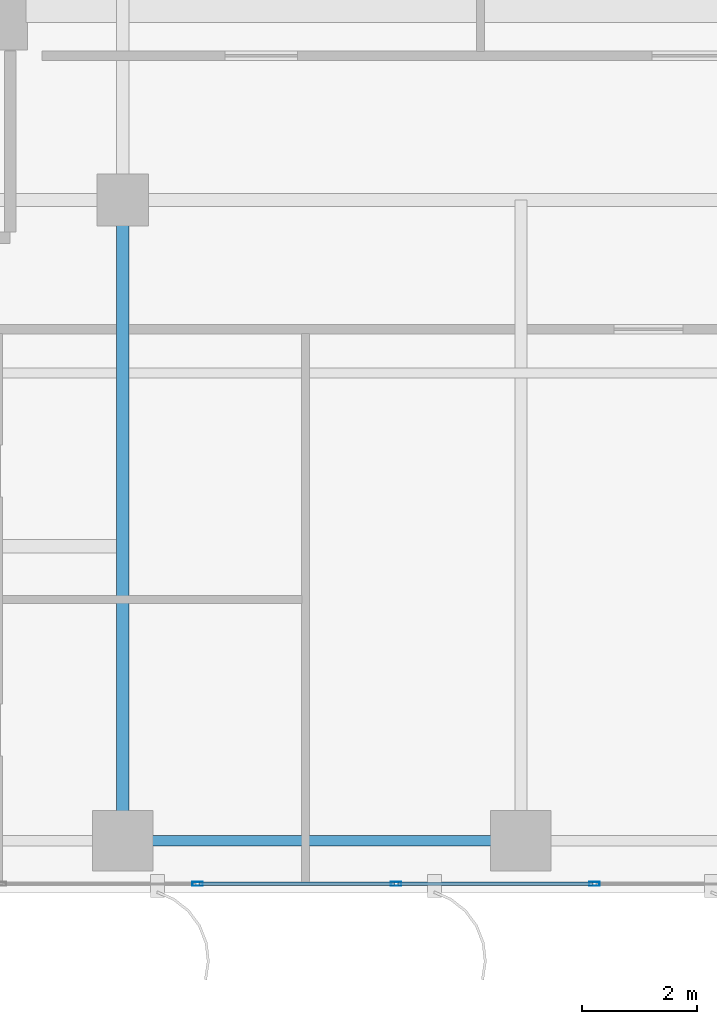
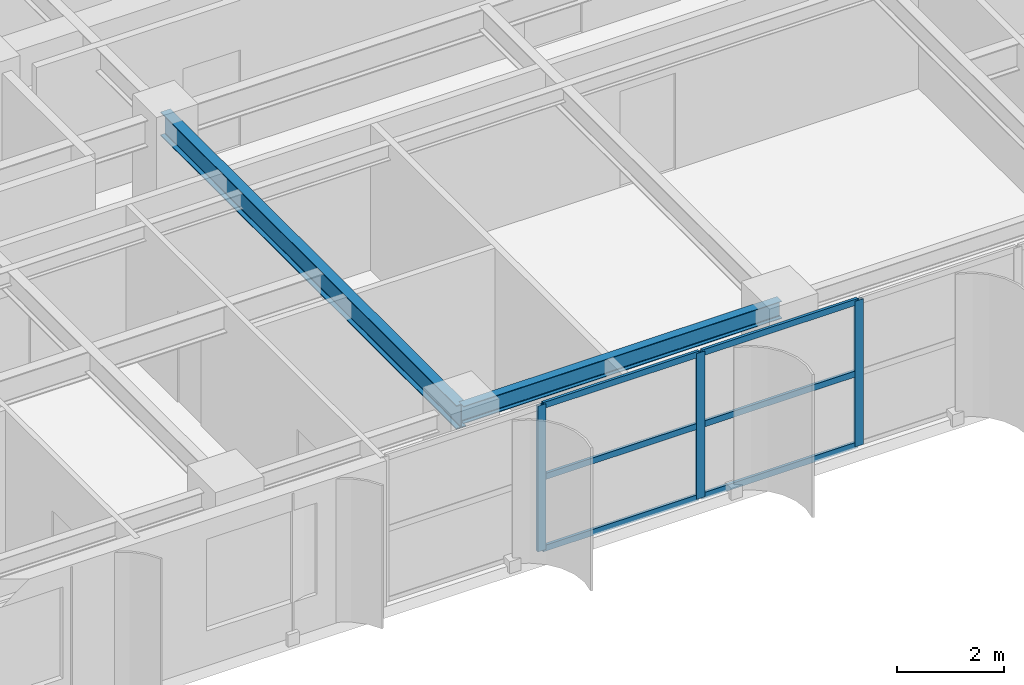
# One storey, part 4 of 26: 9 members, 2 beams, 1 element without a shape of its own.
"""IFC4 building model written with IfcOpenShell, lengths in metres."""

from ifc_helpers import new_model, si_unit, direction, frame, origin, origin_2d, place, context, subcontext, project, spatial, hollow_rectangle, i_section, extrude, source, transform, mapped, material, layer, layer_set, material_profile, profile_set, type_object, element, aggregate, save


model = new_model("IFC4")

# Units and contexts
model_context = context("Model", 3, precision=1e-05, world=origin(), true_north=direction((0.0, 1.0)))
body_context = subcontext(model_context, "Body", "Model", "MODEL_VIEW")
ifc_project = project(units=[si_unit("LENGTHUNIT", "METRE"), si_unit("AREAUNIT", "SQUARE_METRE"), si_unit("VOLUMEUNIT", "CUBIC_METRE"), si_unit("PLANEANGLEUNIT", "RADIAN"), si_unit("MASSUNIT", "GRAM", prefix="KILO")], contexts=[model_context])

# Site, building, storey
site_placement = place(None, origin())
site = spatial("IfcSite", under=ifc_project, at=site_placement, CompositionType="ELEMENT")
building_placement = place(site_placement, origin())
building = spatial("IfcBuilding", under=site, at=building_placement, Name="Khoralis Quay Care Tower", CompositionType="ELEMENT")
storey_placement = place(building_placement, frame((0.0, 0.0, 126.89990234375)))
storey = spatial("IfcBuildingStorey", under=building, at=storey_placement, Name="L33", CompositionType="ELEMENT", Elevation=126.89990234375)

# Beams
ifc_material_1 = material(Name="Steel S355", Category="steel")
ifc_material_profile_1 = material_profile(ifc_material_1, i_section(OverallWidth=0.179931640625, OverallDepth=0.39990234375, WebThickness=0.008544921875, FlangeThickness=0.013427734375, FilletRadius=0.02099609375, at=origin_2d()), Name="Steel S355")
ifc_profile_set_1 = profile_set([ifc_material_profile_1], Name="Steel S355")
beam_type_1 = type_object("IfcBeamType", Name="BM-IPE400", PredefinedType="SPANDREL", material=ifc_profile_set_1)
shared_shape_1 = source(origin(), body_context, "Body", "SweptSolid", [
    extrude(i_section(OverallWidth=0.179931640625, OverallDepth=0.39990234375, WebThickness=0.008544921875, FlangeThickness=0.013427734375, FilletRadius=0.02099609375, at=origin_2d()), origin(), (0.0, 0.0, 1.0), 6.89990234375),
])
beam_1_placement = place(storey_placement, frame((17.10009765625, 0.89990234375, 3.14013671875), z_axis=(1.0, 0.0, 0.0), x_axis=(0.0, 1.0, 0.0)))
element("IfcBeam", 1, at=beam_1_placement, inside=storey, type_object=beam_type_1, Name="BM-TSP-L33-03", PredefinedType="SPANDREL", context=body_context, shape_type="MappedRepresentation", body=[
    mapped(shared_shape_1, transform((0.0, 0.0, 0.0), scale=1.0)),
])
ifc_material_profile_2 = material_profile(ifc_material_1, i_section(OverallWidth=0.2119140625, OverallDepth=0.5439453125, WebThickness=0.01318359375, FlangeThickness=0.021240234375, FilletRadius=0.01611328125, at=origin_2d()), Name="Steel S355")
ifc_profile_set_2 = profile_set([ifc_material_profile_2], Name="Steel S355")
beam_type_2 = type_object("IfcBeamType", Name="BM-W530X123", PredefinedType="BEAM", material=ifc_profile_set_2)
shared_shape_2 = source(origin(), body_context, "Body", "SweptSolid", [
    extrude(i_section(OverallWidth=0.2119140625, OverallDepth=0.5439453125, WebThickness=0.01318359375, FlangeThickness=0.021240234375, FilletRadius=0.01611328125, at=origin_2d()), origin(), (0.0, 0.0, 1.0), 11.10009765625),
])
beam_2_placement = place(storey_placement, frame((17.10009765625, 0.89990234375, 3.068115234375), z_axis=(0.0, 1.0, 0.0), x_axis=(-1.0, 0.0, 0.0)))
element("IfcBeam", 2, at=beam_2_placement, inside=storey, type_object=beam_type_2, Name="BM-TGYS-L33-171", PredefinedType="BEAM", context=body_context, shape_type="MappedRepresentation", body=[
    mapped(shared_shape_2, transform((0.0, 0.0, 0.0), scale=1.0)),
])

# Curtain wall, members
ifc_material_2 = material(Name="Pale anodised aluminium", Category="aluminium")
ifc_layer = layer(ifc_material_2, 0.169921875)
ifc_layer_set = layer_set([ifc_layer], Name="Pale anodised aluminium")
curtain_wall_type = type_object("IfcCurtainWallType", Name="CW-SYS-Z2", PredefinedType="NOTDEFINED", material=ifc_layer_set)
curtain_wall_placement = place(storey_placement, origin())
curtain_wall = element("IfcCurtainWall", 3, at=curtain_wall_placement, inside=storey, type_object=curtain_wall_type, Name="L33 Unitised Curtain Wall CW-L33-P1-E0", PredefinedType="NOTDEFINED")
ifc_material_profile_3 = material_profile(ifc_material_2, hollow_rectangle(XDim=0.06494140625, YDim=0.179931640625, WallThickness=0.00390625, at=origin_2d()), Name="Pale anodised aluminium")
ifc_profile_set_3 = profile_set([ifc_material_profile_3], Name="Pale anodised aluminium")
member_type_1 = type_object("IfcMemberType", Name="CW-MUL-180", PredefinedType="MULLION", material=ifc_profile_set_3)
shared_shape_3 = source(origin(), body_context, "Body", "SweptSolid", [
    extrude(hollow_rectangle(XDim=0.06494140625, YDim=0.179931640625, WallThickness=0.00390625, at=origin_2d()), origin(), (0.0, 0.0, 1.0), 3.340087890625),
])
member_1_placement = place(storey_placement, frame((18.398681640625, 0.14990234375, 0.0), z_axis=(0.0, 0.0, 1.0), x_axis=(0.0, 1.0, 0.0)))
member_1 = element("IfcMember", 4, at=member_1_placement, type_object=member_type_1, Name="CW2 mullion 2", PredefinedType="MULLION", context=body_context, shape_type="MappedRepresentation", body=[
    mapped(shared_shape_3, transform((0.0, 0.0, 0.0), scale=1.0)),
])
member_2_placement = place(storey_placement, frame((21.836669921875, 0.14990234375, 0.0), z_axis=(0.0, 0.0, 1.0), x_axis=(0.0, 1.0, 0.0)))
member_2 = element("IfcMember", 5, at=member_2_placement, type_object=member_type_1, Name="CW2 mullion 3", PredefinedType="MULLION", context=body_context, shape_type="MappedRepresentation", body=[
    mapped(shared_shape_3, transform((0.0, 0.0, 0.0), scale=1.0)),
])
member_3_placement = place(storey_placement, frame((25.2744140625, 0.14990234375, 0.0), z_axis=(0.0, 0.0, 1.0), x_axis=(0.0, 1.0, 0.0)))
member_3 = element("IfcMember", 6, at=member_3_placement, type_object=member_type_1, Name="CW2 mullion 4", PredefinedType="MULLION", context=body_context, shape_type="MappedRepresentation", body=[
    mapped(shared_shape_3, transform((0.0, 0.0, 0.0), scale=1.0)),
])
ifc_material_profile_4 = material_profile(ifc_material_2, hollow_rectangle(XDim=0.06005859375, YDim=0.139892578125, WallThickness=0.00390625, at=origin_2d()), Name="Pale anodised aluminium")
ifc_profile_set_4 = profile_set([ifc_material_profile_4], Name="Pale anodised aluminium")
member_type_2 = type_object("IfcMemberType", Name="CW-TRN-140", PredefinedType="USERDEFINED", material=ifc_profile_set_4)
shared_shape_4 = source(origin(), body_context, "Body", "SweptSolid", [
    extrude(hollow_rectangle(XDim=0.06005859375, YDim=0.139892578125, WallThickness=0.00390625, at=origin_2d()), origin(), (0.0, 0.0, 1.0), 3.3779296875),
])
member_4_placement = place(storey_placement, frame((18.4287109375, 0.14990234375, 0.030029296875), z_axis=(1.0, 0.0, 0.0), x_axis=(0.0, 1.0, 0.0)))
member_4 = element("IfcMember", 7, at=member_4_placement, type_object=member_type_2, Name="CW2 transom 2.1", ObjectType="TRANSOM", PredefinedType="USERDEFINED", context=body_context, shape_type="MappedRepresentation", body=[
    mapped(shared_shape_4, transform((0.0, 0.0, 0.0), scale=1.0)),
])
member_5_placement = place(storey_placement, frame((18.4287109375, 0.14990234375, 1.670166015625), z_axis=(1.0, 0.0, 0.0), x_axis=(0.0, 1.0, 0.0)))
member_5 = element("IfcMember", 8, at=member_5_placement, type_object=member_type_2, Name="CW2 transom 2.2", ObjectType="TRANSOM", PredefinedType="USERDEFINED", context=body_context, shape_type="MappedRepresentation", body=[
    mapped(shared_shape_4, transform((0.0, 0.0, 0.0), scale=1.0)),
])
member_6_placement = place(storey_placement, frame((18.4287109375, 0.14990234375, 3.31005859375), z_axis=(1.0, 0.0, 0.0), x_axis=(0.0, 1.0, 0.0)))
member_6 = element("IfcMember", 9, at=member_6_placement, type_object=member_type_2, Name="CW2 transom 2.3", ObjectType="TRANSOM", PredefinedType="USERDEFINED", context=body_context, shape_type="MappedRepresentation", body=[
    mapped(shared_shape_4, transform((0.0, 0.0, 0.0), scale=1.0)),
])
shared_shape_5 = source(origin(), body_context, "Body", "SweptSolid", [
    extrude(hollow_rectangle(XDim=0.06005859375, YDim=0.139892578125, WallThickness=0.00390625, at=origin_2d()), origin(), (0.0, 0.0, 1.0), 3.377685546875),
])
member_7_placement = place(storey_placement, frame((21.86669921875, 0.14990234375, 0.030029296875), z_axis=(1.0, 0.0, 0.0), x_axis=(0.0, 1.0, 0.0)))
member_7 = element("IfcMember", 10, at=member_7_placement, type_object=member_type_2, Name="CW2 transom 3.1", ObjectType="TRANSOM", PredefinedType="USERDEFINED", context=body_context, shape_type="MappedRepresentation", body=[
    mapped(shared_shape_5, transform((0.0, 0.0, 0.0), scale=1.0)),
])
member_8_placement = place(storey_placement, frame((21.86669921875, 0.14990234375, 1.670166015625), z_axis=(1.0, 0.0, 0.0), x_axis=(0.0, 1.0, 0.0)))
member_8 = element("IfcMember", 11, at=member_8_placement, type_object=member_type_2, Name="CW2 transom 3.2", ObjectType="TRANSOM", PredefinedType="USERDEFINED", context=body_context, shape_type="MappedRepresentation", body=[
    mapped(shared_shape_5, transform((0.0, 0.0, 0.0), scale=1.0)),
])
member_9_placement = place(storey_placement, frame((21.86669921875, 0.14990234375, 3.31005859375), z_axis=(1.0, 0.0, 0.0), x_axis=(0.0, 1.0, 0.0)))
member_9 = element("IfcMember", 12, at=member_9_placement, type_object=member_type_2, Name="CW2 transom 3.3", ObjectType="TRANSOM", PredefinedType="USERDEFINED", context=body_context, shape_type="MappedRepresentation", body=[
    mapped(shared_shape_5, transform((0.0, 0.0, 0.0), scale=1.0)),
])
aggregate(curtain_wall, [member_1, member_2, member_3, member_4, member_5, member_6, member_7, member_8, member_9])

save(model, "model.ifc")
